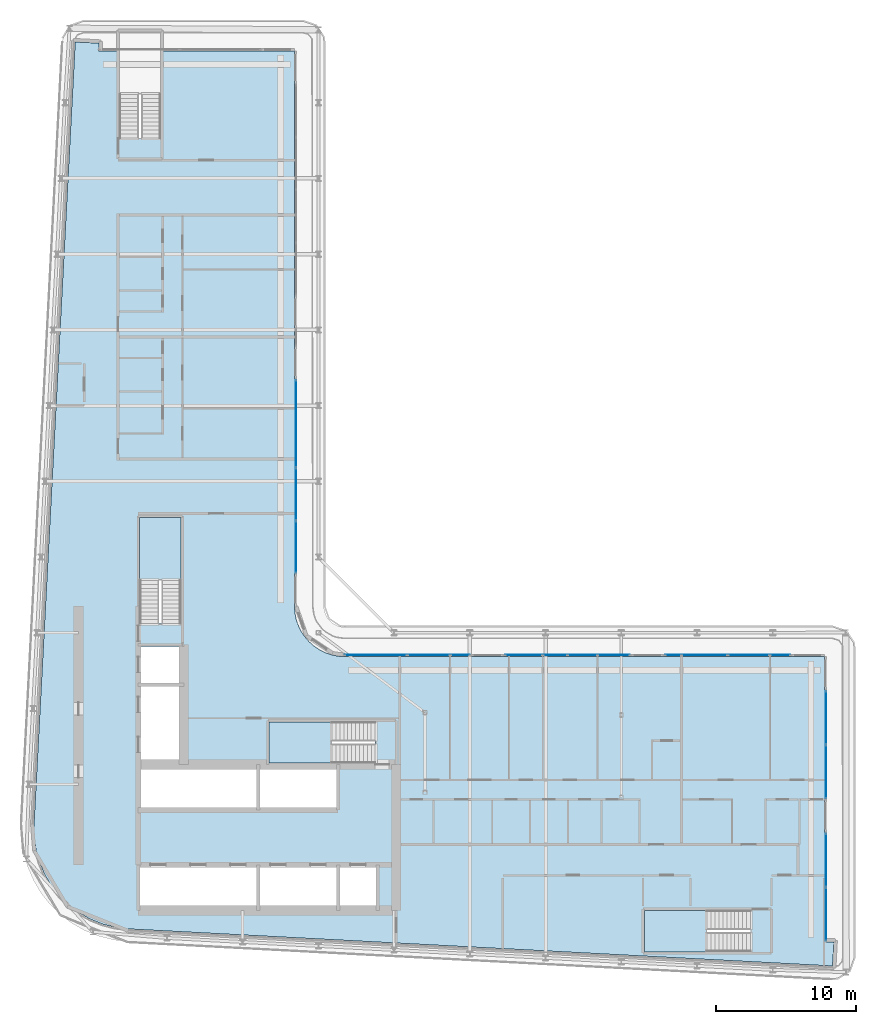
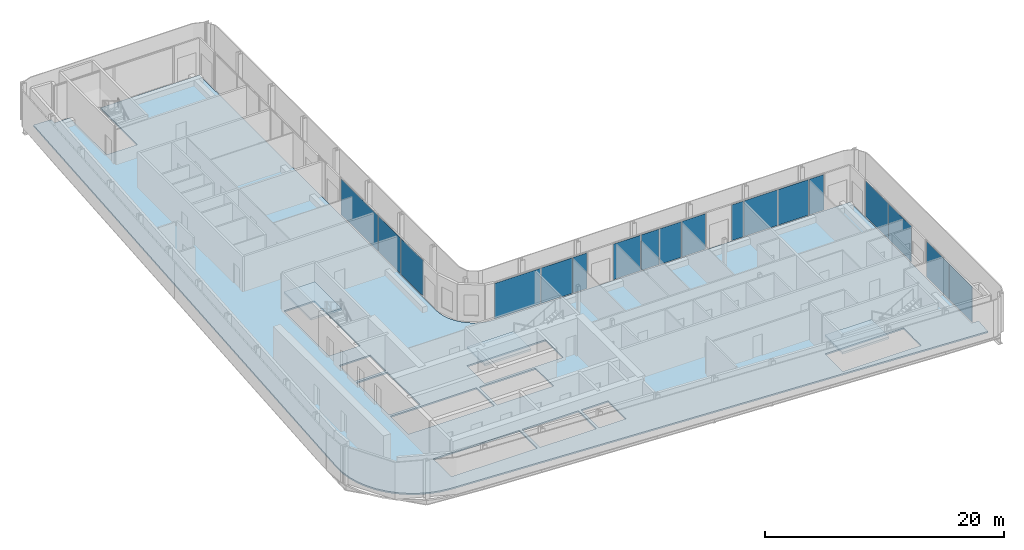
# One storey, part 8 of 21: 18 plates, 4 slabs, 10 elements without a shape of their own.
"""IFC4 building model written with IfcOpenShell, lengths in metres."""

from ifc_helpers import new_model, si_unit, direction, frame, origin, origin_2d, place, context, subcontext, project, spatial, polyline, rectangle, outline, extrude, material, layer, layer_set, type_object, element, aggregate, save


model = new_model("IFC4")

# Units and contexts
model_context = context("Model", 3, precision=1e-05, world=origin(), true_north=direction((0.0, 1.0)))
body_context = subcontext(model_context, "Body", "Model", "MODEL_VIEW")
ifc_project = project(units=[si_unit("LENGTHUNIT", "METRE"), si_unit("AREAUNIT", "SQUARE_METRE"), si_unit("VOLUMEUNIT", "CUBIC_METRE"), si_unit("PLANEANGLEUNIT", "RADIAN"), si_unit("MASSUNIT", "GRAM", prefix="KILO")], contexts=[model_context])

# Site, building, storey
site_placement = place(None, origin())
site = spatial("IfcSite", under=ifc_project, at=site_placement, CompositionType="ELEMENT")
building_placement = place(site_placement, origin())
building = spatial("IfcBuilding", under=site, at=building_placement, Name="Kheshtan School and Residences Tower", CompositionType="ELEMENT")
storey_placement = place(building_placement, frame((0.0, 0.0, 224.0)))
storey = spatial("IfcBuildingStorey", under=building, at=storey_placement, Name="L52", CompositionType="ELEMENT", Elevation=224.0)

# Curtain wall, plate
ifc_material_1 = material(Name="Clear low-e glass in thermally broken aluminium frame", Category="aluminium")
ifc_layer_1 = layer(ifc_material_1, 0.199951171875)
ifc_layer_set_1 = layer_set([ifc_layer_1], Name="Curtain wall CW-L")
curtain_wall_type = type_object("IfcCurtainWallType", Name="Curtain wall CW-L", PredefinedType="NOTDEFINED", material=ifc_layer_set_1)
curtain_wall_1_placement = place(storey_placement, origin())
curtain_wall_1 = element("IfcCurtainWall", 1, at=curtain_wall_1_placement, inside=storey, type_object=curtain_wall_type, Name="Curtain wall CWL4i", PredefinedType="NOTDEFINED")
ifc_layer_2 = layer(ifc_material_1, 0.031982421875)
ifc_layer_set_2 = layer_set([ifc_layer_2], Name="CW-L glass panel")
plate_type = type_object("IfcPlateType", Name="CW-L glass panel", PredefinedType="CURTAIN_PANEL", material=ifc_layer_set_2)
plate_1_placement = place(storey_placement, frame((46.0, 60.50634765625, 0.0), z_axis=(0.0, 0.0, 1.0), x_axis=(0.0, -1.0, 0.0)))
plate_1 = element("IfcPlate", 2, at=plate_1_placement, type_object=plate_type, Name="CWL4i panel 1.1", PredefinedType="CURTAIN_PANEL", context=body_context, shape_type="SweptSolid", body=[
    extrude(rectangle(XDim=6.197509765625, YDim=0.031982421875, at=origin_2d()), origin(), (0.0, 0.0, 1.0), 3.6298828125),
])
aggregate(curtain_wall_1, [plate_1])

# Curtain wall, plates
curtain_wall_2_placement = place(storey_placement, origin())
curtain_wall_2 = element("IfcCurtainWall", 3, at=curtain_wall_2_placement, inside=storey, type_object=curtain_wall_type, Name="Curtain wall CWL4a", PredefinedType="NOTDEFINED")
plate_2_placement = place(storey_placement, frame((46.0, 55.483154296875, 0.0), z_axis=(0.0, 0.0, 1.0), x_axis=(0.0, -1.0, 0.0)))
plate_2 = element("IfcPlate", 4, at=plate_2_placement, type_object=plate_type, Name="CWL4a panel 1.1", PredefinedType="CURTAIN_PANEL", context=body_context, shape_type="SweptSolid", body=[
    extrude(rectangle(XDim=3.728759765625, YDim=0.031982421875, at=origin_2d()), origin(), (0.0, 0.0, 1.0), 3.6298828125),
])
plate_3_placement = place(storey_placement, frame((46.0, 51.724365234375, 0.0), z_axis=(0.0, 0.0, 1.0), x_axis=(0.0, -1.0, 0.0)))
plate_3 = element("IfcPlate", 5, at=plate_3_placement, type_object=plate_type, Name="CWL4a panel 2.1", PredefinedType="CURTAIN_PANEL", context=body_context, shape_type="SweptSolid", body=[
    extrude(rectangle(XDim=3.668701171875, YDim=0.031982421875, at=origin_2d()), origin(), (0.0, 0.0, 1.0), 3.6298828125),
])
aggregate(curtain_wall_2, [plate_2, plate_3])

curtain_wall_3_placement = place(storey_placement, origin())
curtain_wall_3 = element("IfcCurtainWall", 6, at=curtain_wall_3_placement, inside=storey, type_object=curtain_wall_type, Name="Curtain wall CWL8o", PredefinedType="NOTDEFINED")
plate_4_placement = place(storey_placement, frame((51.700927734375, 44.0, 0.0), z_axis=(0.0, 0.0, 1.0), x_axis=(1.0, 0.0, 0.0)))
plate_4 = element("IfcPlate", 7, at=plate_4_placement, type_object=plate_type, Name="CWL8o panel 1.1", PredefinedType="CURTAIN_PANEL", context=body_context, shape_type="SweptSolid", body=[
    extrude(rectangle(XDim=4.421630859375, YDim=0.031982421875, at=origin_2d()), origin(), (0.0, 0.0, 1.0), 3.6298828125),
])
plate_5_placement = place(storey_placement, frame((55.470947265625, 44.0, 0.0), z_axis=(0.0, 0.0, 1.0), x_axis=(1.0, 0.0, 0.0)))
plate_5 = element("IfcPlate", 8, at=plate_5_placement, type_object=plate_type, Name="CWL8o panel 2.1", PredefinedType="CURTAIN_PANEL", context=body_context, shape_type="SweptSolid", body=[
    extrude(rectangle(XDim=2.998291015625, YDim=0.031982421875, at=origin_2d()), origin(), (0.0, 0.0, 1.0), 3.6298828125),
])
plate_6_placement = place(storey_placement, frame((57.711669921875, 44.0, 0.0), z_axis=(0.0, 0.0, 1.0), x_axis=(1.0, 0.0, 0.0)))
plate_6 = element("IfcPlate", 9, at=plate_6_placement, type_object=plate_type, Name="CWL8o panel 3.1", PredefinedType="CURTAIN_PANEL", context=body_context, shape_type="SweptSolid", body=[
    extrude(rectangle(XDim=1.36328125, YDim=0.031982421875, at=origin_2d()), origin(), (0.0, 0.0, 1.0), 3.6298828125),
])
aggregate(curtain_wall_3, [plate_4, plate_5, plate_6])

curtain_wall_4_placement = place(storey_placement, origin())
curtain_wall_4 = element("IfcCurtainWall", 10, at=curtain_wall_4_placement, inside=storey, type_object=curtain_wall_type, Name="Curtain wall CWL8p", PredefinedType="NOTDEFINED")
plate_7_placement = place(storey_placement, frame((62.24169921875, 44.0, 0.0), z_axis=(0.0, 0.0, 1.0), x_axis=(1.0, 0.0, 0.0)))
plate_7 = element("IfcPlate", 11, at=plate_7_placement, type_object=plate_type, Name="CWL8p panel 1.1", PredefinedType="CURTAIN_PANEL", context=body_context, shape_type="SweptSolid", body=[
    extrude(rectangle(XDim=2.65673828125, YDim=0.031982421875, at=origin_2d()), origin(), (0.0, 0.0, 1.0), 3.6298828125),
])
plate_8_placement = place(storey_placement, frame((64.482421875, 44.0, 0.0), z_axis=(0.0, 0.0, 1.0), x_axis=(1.0, 0.0, 0.0)))
plate_8 = element("IfcPlate", 12, at=plate_8_placement, type_object=plate_type, Name="CWL8p panel 2.1", PredefinedType="CURTAIN_PANEL", context=body_context, shape_type="SweptSolid", body=[
    extrude(rectangle(XDim=1.705078125, YDim=0.031982421875, at=origin_2d()), origin(), (0.0, 0.0, 1.0), 3.6298828125),
])
plate_9_placement = place(storey_placement, frame((66.4326171875, 44.0, 0.0), z_axis=(0.0, 0.0, 1.0), x_axis=(1.0, 0.0, 0.0)))
plate_9 = element("IfcPlate", 13, at=plate_9_placement, type_object=plate_type, Name="CWL8p panel 3.1", PredefinedType="CURTAIN_PANEL", context=body_context, shape_type="SweptSolid", body=[
    extrude(rectangle(XDim=2.074951171875, YDim=0.031982421875, at=origin_2d()), origin(), (0.0, 0.0, 1.0), 3.6298828125),
])
plate_10_placement = place(storey_placement, frame((68.67333984375, 44.0, 0.0), z_axis=(0.0, 0.0, 1.0), x_axis=(1.0, 0.0, 0.0)))
plate_10 = element("IfcPlate", 14, at=plate_10_placement, type_object=plate_type, Name="CWL8p panel 4.1", PredefinedType="CURTAIN_PANEL", context=body_context, shape_type="SweptSolid", body=[
    extrude(rectangle(XDim=2.28662109375, YDim=0.031982421875, at=origin_2d()), origin(), (0.0, 0.0, 1.0), 3.6298828125),
])
aggregate(curtain_wall_4, [plate_7, plate_8, plate_9, plate_10])

curtain_wall_5_placement = place(storey_placement, origin())
curtain_wall_5 = element("IfcCurtainWall", 15, at=curtain_wall_5_placement, inside=storey, type_object=curtain_wall_type, Name="Curtain wall CWL8p", PredefinedType="NOTDEFINED")
plate_11_placement = place(storey_placement, frame((72.9033203125, 44.0, 0.0), z_axis=(0.0, 0.0, 1.0), x_axis=(1.0, 0.0, 0.0)))
plate_11 = element("IfcPlate", 16, at=plate_11_placement, type_object=plate_type, Name="CWL8p panel 1.1", PredefinedType="CURTAIN_PANEL", context=body_context, shape_type="SweptSolid", body=[
    extrude(rectangle(XDim=1.13330078125, YDim=0.031982421875, at=origin_2d()), origin(), (0.0, 0.0, 1.0), 3.6298828125),
])
plate_12_placement = place(storey_placement, frame((75.14404296875, 44.0, 0.0), z_axis=(0.0, 0.0, 1.0), x_axis=(1.0, 0.0, 0.0)))
plate_12 = element("IfcPlate", 17, at=plate_12_placement, type_object=plate_type, Name="CWL8p panel 2.1", PredefinedType="CURTAIN_PANEL", context=body_context, shape_type="SweptSolid", body=[
    extrude(rectangle(XDim=3.228271484375, YDim=0.031982421875, at=origin_2d()), origin(), (0.0, 0.0, 1.0), 3.6298828125),
])
plate_13_placement = place(storey_placement, frame((78.294189453125, 44.0, 0.0), z_axis=(0.0, 0.0, 1.0), x_axis=(1.0, 0.0, 0.0)))
plate_13 = element("IfcPlate", 18, at=plate_13_placement, type_object=plate_type, Name="CWL8p panel 3.1", PredefinedType="CURTAIN_PANEL", context=body_context, shape_type="SweptSolid", body=[
    extrude(rectangle(XDim=2.95166015625, YDim=0.031982421875, at=origin_2d()), origin(), (0.0, 0.0, 1.0), 3.6298828125),
])
plate_14_placement = place(storey_placement, frame((80.534912109375, 44.0, 0.0), z_axis=(0.0, 0.0, 1.0), x_axis=(1.0, 0.0, 0.0)))
plate_14 = element("IfcPlate", 19, at=plate_14_placement, type_object=plate_type, Name="CWL8p panel 4.1", PredefinedType="CURTAIN_PANEL", context=body_context, shape_type="SweptSolid", body=[
    extrude(rectangle(XDim=1.409912109375, YDim=0.031982421875, at=origin_2d()), origin(), (0.0, 0.0, 1.0), 3.6298828125),
])
aggregate(curtain_wall_5, [plate_11, plate_12, plate_13, plate_14])

curtain_wall_6_placement = place(storey_placement, origin())
curtain_wall_6 = element("IfcCurtainWall", 20, at=curtain_wall_6_placement, inside=storey, type_object=curtain_wall_type, Name="Curtain wall CWL9a", PredefinedType="NOTDEFINED")
plate_15_placement = place(storey_placement, frame((83.800048828125, 39.54345703125, 0.0), z_axis=(0.0, 0.0, 1.0), x_axis=(0.0, -1.0, 0.0)))
plate_15 = element("IfcPlate", 21, at=plate_15_placement, type_object=plate_type, Name="CWL9a panel 1.1", PredefinedType="CURTAIN_PANEL", context=body_context, shape_type="SweptSolid", body=[
    extrude(rectangle(XDim=3.793212890625, YDim=0.031982421875, at=origin_2d()), origin(), (0.0, 0.0, 1.0), 3.6298828125),
])
plate_16_placement = place(storey_placement, frame((83.800048828125, 35.690185546875, 0.0), z_axis=(0.0, 0.0, 1.0), x_axis=(0.0, -1.0, 0.0)))
plate_16 = element("IfcPlate", 22, at=plate_16_placement, type_object=plate_type, Name="CWL9a panel 2.1", PredefinedType="CURTAIN_PANEL", context=body_context, shape_type="SweptSolid", body=[
    extrude(rectangle(XDim=3.793212890625, YDim=0.031982421875, at=origin_2d()), origin(), (0.0, 0.0, 1.0), 3.6298828125),
])
aggregate(curtain_wall_6, [plate_15, plate_16])

curtain_wall_7_placement = place(storey_placement, origin())
curtain_wall_7 = element("IfcCurtainWall", 23, at=curtain_wall_7_placement, inside=storey, type_object=curtain_wall_type, Name="Curtain wall CWL9a", PredefinedType="NOTDEFINED")
plate_17_placement = place(storey_placement, frame((83.800048828125, 29.376953125, 0.0), z_axis=(0.0, 0.0, 1.0), x_axis=(0.0, -1.0, 0.0)))
plate_17 = element("IfcPlate", 24, at=plate_17_placement, type_object=plate_type, Name="CWL9a panel 1.1", PredefinedType="CURTAIN_PANEL", context=body_context, shape_type="SweptSolid", body=[
    extrude(rectangle(XDim=3.793212890625, YDim=0.031982421875, at=origin_2d()), origin(), (0.0, 0.0, 1.0), 3.6298828125),
])
plate_18_placement = place(storey_placement, frame((83.800048828125, 25.523681640625, 0.0), z_axis=(0.0, 0.0, 1.0), x_axis=(0.0, -1.0, 0.0)))
plate_18 = element("IfcPlate", 25, at=plate_18_placement, type_object=plate_type, Name="CWL9a panel 2.1", PredefinedType="CURTAIN_PANEL", context=body_context, shape_type="SweptSolid", body=[
    extrude(rectangle(XDim=3.793212890625, YDim=0.031982421875, at=origin_2d()), origin(), (0.0, 0.0, 1.0), 3.6298828125),
])
aggregate(curtain_wall_7, [plate_17, plate_18])

# Slab
ifc_material_2 = material(Name="Concrete C40/50", Category="concrete")
ifc_layer_3 = layer(ifc_material_2, 0.14990234375)
ifc_layer_set_3 = layer_set([ifc_layer_3], Name="Floor slab 150 Concrete C40/50")
slab_type_1 = type_object("IfcSlabType", Name="Floor slab 150 Concrete C40/50", PredefinedType="FLOOR", material=ifc_layer_set_3)
slab_1_placement = place(storey_placement, frame((0.0, 0.0, -0.14990234375)))
element("IfcSlab", 26, at=slab_1_placement, inside=storey, type_object=slab_type_1, Name="Floor slab L52", PredefinedType="FLOOR", context=body_context, shape_type="SweptSolid", body=[
    extrude(outline(polyline([(28.0849609375, 28.345947265625), (27.718017578125, 29.200927734375), (27.466064453125, 30.093017578125), (27.466064453125, 30.093994140625), (27.3330078125, 31.013916015625), (27.320068359375, 31.965087890625), (27.320068359375, 31.970947265625), (30.25390625, 87.700927734375), (30.2548828125, 87.7080078125), (30.258056640625, 87.73095703125), (30.258056640625, 87.73193359375), (30.259033203125, 87.73193359375), (30.85400390625, 87.699951171875), (30.85498046875, 87.699951171875), (30.85498046875, 87.698974609375), (30.85498046875, 87.695068359375), (30.85498046875, 87.694091796875), (30.85595703125, 87.694091796875), (30.85595703125, 87.693115234375), (30.85693359375, 87.693115234375), (30.85791015625, 87.693115234375), (30.85791015625, 87.694091796875), (30.860107421875, 87.696044921875), (30.861083984375, 87.697021484375), (30.862060546875, 87.697998046875), (30.863037109375, 87.697998046875), (30.863037109375, 87.698974609375), (30.864013671875, 87.698974609375), (30.864013671875, 87.699951171875), (30.864990234375, 87.699951171875), (30.866943359375, 87.700927734375), (30.867919921875, 87.701904296875), (30.87109375, 87.701904296875), (30.8720703125, 87.701904296875), (30.8720703125, 87.702880859375), (30.873046875, 87.702880859375), (30.8779296875, 87.702880859375), (31.93310546875, 87.64697265625), (31.93603515625, 87.64697265625), (31.93701171875, 87.64697265625), (31.93701171875, 87.64599609375), (31.93798828125, 87.64599609375), (31.94189453125, 87.64599609375), (31.94189453125, 87.64501953125), (31.943115234375, 87.64501953125), (31.943115234375, 87.64404296875), (31.944091796875, 87.64404296875), (31.944091796875, 87.64306640625), (31.945068359375, 87.64306640625), (31.946044921875, 87.64306640625), (31.946044921875, 87.64208984375), (31.947021484375, 87.64208984375), (31.947998046875, 87.64208984375), (31.947998046875, 87.64111328125), (31.949951171875, 87.638916015625), (31.950927734375, 87.638916015625), (31.950927734375, 87.637939453125), (31.950927734375, 87.636962890625), (31.951904296875, 87.636962890625), (31.951904296875, 87.635986328125), (31.952880859375, 87.635986328125), (31.952880859375, 87.634033203125), (31.952880859375, 87.633056640625), (31.9541015625, 87.633056640625), (31.9541015625, 87.632080078125), (31.955078125, 87.632080078125), (31.955078125, 87.631103515625), (31.955078125, 87.62890625), (31.955078125, 87.6279296875), (31.9560546875, 87.6279296875), (31.9560546875, 87.626953125), (31.9560546875, 87.6220703125), (31.928955078125, 87.12109375), (31.928955078125, 87.117919921875), (31.928955078125, 87.116943359375), (31.927978515625, 87.116943359375), (31.927978515625, 87.115966796875), (31.927978515625, 87.112060546875), (31.927001953125, 87.111083984375), (31.927001953125, 87.110107421875), (31.926025390625, 87.110107421875), (31.926025390625, 87.10888671875), (31.925048828125, 87.10888671875), (31.925048828125, 87.10791015625), (31.924072265625, 87.10693359375), (31.922119140625, 87.10498046875), (31.9208984375, 87.10400390625), (31.919921875, 87.10400390625), (31.919921875, 87.10302734375), (31.919921875, 87.10205078125), (31.919921875, 87.10107421875), (31.9208984375, 87.10107421875), (31.9208984375, 87.10009765625), (31.922119140625, 87.10009765625), (33.39990234375, 87.10009765625), (33.39990234375, 80.909912109375), (34.800048828125, 80.909912109375), (34.800048828125, 80.89990234375), (36.35009765625, 80.89990234375), (36.35009765625, 87.10009765625), (45.85498046875, 87.10009765625), (45.864990234375, 87.097900390625), (45.865966796875, 87.097900390625), (45.868896484375, 87.095947265625), (45.8740234375, 87.093994140625), (45.8779296875, 87.092041015625), (45.881103515625, 87.090087890625), (45.881103515625, 87.089111328125), (45.882080078125, 87.089111328125), (45.882080078125, 87.087890625), (45.883056640625, 87.087890625), (45.884033203125, 87.0849609375), (45.885009765625, 87.0849609375), (45.885009765625, 87.083984375), (45.887939453125, 87.0830078125), (45.887939453125, 87.08203125), (45.888916015625, 87.08203125), (45.888916015625, 87.0810546875), (45.889892578125, 87.0810546875), (45.89208984375, 87.077880859375), (45.89404296875, 87.073974609375), (45.89599609375, 87.069091796875), (45.89794921875, 87.06591796875), (45.89794921875, 87.06494140625), (45.89990234375, 87.054931640625), (45.89990234375, 47.429931640625), (45.927001953125, 47.030029296875), (46.01806640625, 46.570068359375), (46.01806640625, 46.569091796875), (46.169921875, 46.1201171875), (46.37890625, 45.697021484375), (46.638916015625, 45.30810546875), (46.949951171875, 44.950927734375), (46.950927734375, 44.949951171875), (47.30810546875, 44.638916015625), (47.697021484375, 44.37890625), (48.1201171875, 44.169921875), (48.569091796875, 44.01806640625), (48.570068359375, 44.01806640625), (49.030029296875, 43.927001953125), (49.429931640625, 43.89990234375), (83.655029296875, 43.89990234375), (83.659912109375, 43.89892578125), (83.6650390625, 43.89794921875), (83.666015625, 43.89794921875), (83.6689453125, 43.89599609375), (83.674072265625, 43.89404296875), (83.677978515625, 43.89208984375), (83.680908203125, 43.889892578125), (83.680908203125, 43.888916015625), (83.681884765625, 43.888916015625), (83.681884765625, 43.887939453125), (83.68310546875, 43.887939453125), (83.68408203125, 43.885009765625), (83.68505859375, 43.885009765625), (83.68505859375, 43.884033203125), (83.68798828125, 43.883056640625), (83.68798828125, 43.882080078125), (83.68896484375, 43.882080078125), (83.68896484375, 43.881103515625), (83.68994140625, 43.881103515625), (83.69189453125, 43.8779296875), (83.694091796875, 43.8740234375), (83.696044921875, 43.868896484375), (83.697998046875, 43.865966796875), (83.697998046875, 43.864990234375), (83.699951171875, 43.85498046875), (83.699951171875, 23.56201171875), (83.699951171875, 23.56103515625), (83.700927734375, 23.56103515625), (83.700927734375, 23.56005859375), (83.701904296875, 23.56005859375), (83.702880859375, 23.56005859375), (83.702880859375, 23.56103515625), (83.705078125, 23.56298828125), (83.7060546875, 23.56396484375), (83.70703125, 23.56494140625), (83.7080078125, 23.56494140625), (83.7080078125, 23.56591796875), (83.708984375, 23.56591796875), (83.708984375, 23.56689453125), (83.7099609375, 23.56689453125), (83.712890625, 23.569091796875), (83.716064453125, 23.569091796875), (83.717041015625, 23.569091796875), (83.717041015625, 23.570068359375), (83.718017578125, 23.570068359375), (83.722900390625, 23.570068359375), (84.337890625, 23.537109375), (84.341064453125, 23.537109375), (84.342041015625, 23.537109375), (84.342041015625, 23.535888671875), (84.343017578125, 23.535888671875), (84.346923828125, 23.535888671875), (84.346923828125, 23.534912109375), (84.347900390625, 23.534912109375), (84.347900390625, 23.533935546875), (84.34912109375, 23.533935546875), (84.34912109375, 23.532958984375), (84.35009765625, 23.532958984375), (84.35107421875, 23.532958984375), (84.35107421875, 23.531982421875), (84.35205078125, 23.531982421875), (84.35302734375, 23.531982421875), (84.35302734375, 23.531005859375), (84.35498046875, 23.529052734375), (84.35595703125, 23.529052734375), (84.35595703125, 23.528076171875), (84.35595703125, 23.527099609375), (84.35693359375, 23.527099609375), (84.35693359375, 23.52587890625), (84.35791015625, 23.52587890625), (84.35791015625, 23.52490234375), (84.35791015625, 23.52392578125), (84.35791015625, 23.52294921875), (84.35888671875, 23.52294921875), (84.35888671875, 23.52197265625), (84.360107421875, 23.52197265625), (84.360107421875, 23.52099609375), (84.360107421875, 23.51904296875), (84.360107421875, 23.51806640625), (84.361083984375, 23.51806640625), (84.361083984375, 23.51708984375), (84.361083984375, 23.511962890625), (84.304931640625, 22.455078125), (84.304931640625, 22.451904296875), (84.304931640625, 22.450927734375), (84.303955078125, 22.450927734375), (84.303955078125, 22.449951171875), (84.303955078125, 22.446044921875), (84.302978515625, 22.445068359375), (84.302978515625, 22.444091796875), (84.302001953125, 22.444091796875), (84.302001953125, 22.443115234375), (84.301025390625, 22.443115234375), (84.301025390625, 22.44189453125), (84.300048828125, 22.44091796875), (84.298095703125, 22.43896484375), (84.297119140625, 22.43798828125), (84.2958984375, 22.43798828125), (84.2958984375, 22.43701171875), (84.2958984375, 22.43603515625), (84.2958984375, 22.43505859375), (84.297119140625, 22.43505859375), (84.297119140625, 22.43408203125), (84.298095703125, 22.43408203125), (84.299072265625, 22.43408203125), (84.300048828125, 22.43408203125), (84.300048828125, 22.43310546875), (84.26806640625, 21.837890625), (84.26806640625, 21.8369140625), (84.26708984375, 21.8369140625), (84.242919921875, 21.8359375), (84.238037109375, 21.8359375), (34.056884765625, 24.47802734375), (33.114990234375, 24.590087890625), (32.215087890625, 24.819091796875), (32.214111328125, 24.819091796875), (31.35205078125, 25.1630859375), (30.541015625, 25.616943359375), (29.799072265625, 26.1708984375), (29.799072265625, 26.172119140625), (29.798095703125, 26.172119140625), (29.134033203125, 26.820068359375), (29.134033203125, 26.821044921875), (29.133056640625, 26.821044921875), (28.55908203125, 27.550048828125), (28.0849609375, 28.345947265625)]), holes=[polyline([(83.699951171875, 22.44091796875), (83.699951171875, 22.43994140625), (83.699951171875, 22.43603515625), (83.699951171875, 22.43505859375), (83.700927734375, 22.43505859375), (83.700927734375, 22.43408203125), (83.701904296875, 22.43408203125), (83.7060546875, 22.43408203125), (83.70703125, 22.43408203125), (83.70703125, 22.43505859375), (83.7080078125, 22.43505859375), (83.7080078125, 22.43603515625), (83.7080078125, 22.43701171875), (83.70703125, 22.43701171875), (83.7060546875, 22.43798828125), (83.7041015625, 22.43994140625), (83.702880859375, 22.44091796875), (83.702880859375, 22.44189453125), (83.701904296875, 22.44189453125), (83.700927734375, 22.44189453125), (83.700927734375, 22.44091796875), (83.699951171875, 22.44091796875)]), polyline([(30.85498046875, 87.10693359375), (30.85498046875, 87.10595703125), (30.85498046875, 87.10205078125), (30.85498046875, 87.10107421875), (30.85595703125, 87.10107421875), (30.85595703125, 87.10009765625), (30.85693359375, 87.10009765625), (30.861083984375, 87.10009765625), (30.862060546875, 87.10009765625), (30.862060546875, 87.10107421875), (30.863037109375, 87.10107421875), (30.863037109375, 87.10205078125), (30.863037109375, 87.10302734375), (30.862060546875, 87.10302734375), (30.861083984375, 87.10400390625), (30.860107421875, 87.10498046875), (30.85888671875, 87.10595703125), (30.85791015625, 87.10693359375), (30.85791015625, 87.10791015625), (30.85693359375, 87.10791015625), (30.85595703125, 87.10791015625), (30.85595703125, 87.10693359375), (30.85498046875, 87.10693359375)]), polyline([(43.175048828125, 28.925048828125), (34.875, 28.925048828125), (34.875, 25.925048828125), (43.175048828125, 25.925048828125), (43.175048828125, 28.925048828125)]), polyline([(43.175048828125, 36.074951171875), (34.875, 36.074951171875), (34.875, 33.074951171875), (43.175048828125, 33.074951171875), (43.175048828125, 36.074951171875)]), polyline([(34.875, 41.77490234375), (34.875, 36.324951171875), (37.875, 36.324951171875), (37.875, 41.77490234375), (34.875, 41.77490234375)]), polyline([(37.875, 44.625), (34.875, 44.625), (34.875, 42.02490234375), (37.875, 42.02490234375), (37.875, 44.625)]), polyline([(36.25, 46.25), (37.800048828125, 46.25), (37.800048828125, 53.81005859375), (34.85009765625, 53.81005859375), (34.85009765625, 46.260009765625), (36.25, 46.260009765625), (36.25, 46.25)]), polyline([(70.85009765625, 25.800048828125), (70.85009765625, 22.85009765625), (78.39990234375, 22.85009765625), (78.39990234375, 24.25), (78.409912109375, 24.25), (78.409912109375, 25.800048828125), (70.85009765625, 25.800048828125)]), polyline([(43.425048828125, 28.925048828125), (43.425048828125, 25.925048828125), (48.875, 25.925048828125), (48.875, 28.925048828125), (43.425048828125, 28.925048828125)]), polyline([(49.125, 28.925048828125), (49.125, 25.925048828125), (51.72509765625, 25.925048828125), (51.72509765625, 28.925048828125), (49.125, 28.925048828125)]), polyline([(43.425048828125, 36.074951171875), (43.425048828125, 33.074951171875), (48.875, 33.074951171875), (48.875, 36.074951171875), (43.425048828125, 36.074951171875)]), polyline([(51.64990234375, 37.699951171875), (51.64990234375, 39.25), (44.090087890625, 39.25), (44.090087890625, 36.300048828125), (51.639892578125, 36.300048828125), (51.639892578125, 37.699951171875), (51.64990234375, 37.699951171875)])]), origin(), (0.0, 0.0, 1.0), 0.14990234375),
])

# Stair, slab
stair_type = type_object("IfcStairType", Name="Exit stair, half-turn", PredefinedType="HALF_TURN_STAIR", material=ifc_material_2)
stair_1_placement = place(storey_placement, origin())
stair_1 = element("IfcStair", 27, at=stair_1_placement, inside=storey, type_object=stair_type, Name="L52 Protected Exit Stair ST1", PredefinedType="HALF_TURN_STAIR")
ifc_layer_4 = layer(ifc_material_2, 0.199951171875)
ifc_layer_set_4 = layer_set([ifc_layer_4], Name="Stair landing 200 Concrete C40/50")
slab_type_2 = type_object("IfcSlabType", Name="Stair landing 200 Concrete C40/50", PredefinedType="LANDING", material=ifc_layer_set_4)
slab_2_placement = place(storey_placement, frame((0.0, 0.0, 1.75)))
slab_2 = element("IfcSlab", 28, at=slab_2_placement, type_object=slab_type_2, Name="ST1 landing 1", PredefinedType="LANDING", context=body_context, shape_type="SweptSolid", body=[
    extrude(outline(polyline([(48.570068359375, 39.25), (44.090087890625, 39.25), (44.090087890625, 36.300048828125), (48.570068359375, 36.300048828125), (48.570068359375, 39.25)])), origin(), (0.0, 0.0, 1.0), 0.199951171875),
])
aggregate(stair_1, [slab_2])

stair_2_placement = place(storey_placement, origin())
stair_2 = element("IfcStair", 29, at=stair_2_placement, inside=storey, type_object=stair_type, Name="L52 Protected Exit Stair ST2", PredefinedType="HALF_TURN_STAIR")
slab_3_placement = place(storey_placement, frame((0.0, 0.0, 1.75)))
slab_3 = element("IfcSlab", 30, at=slab_3_placement, type_object=slab_type_2, Name="ST2 landing 1", PredefinedType="LANDING", context=body_context, shape_type="SweptSolid", body=[
    extrude(outline(polyline([(37.800048828125, 49.330078125), (37.800048828125, 53.81005859375), (34.85009765625, 53.81005859375), (34.85009765625, 49.330078125), (37.800048828125, 49.330078125)])), origin(), (0.0, 0.0, 1.0), 0.199951171875),
])
aggregate(stair_2, [slab_3])

stair_3_placement = place(storey_placement, origin())
stair_3 = element("IfcStair", 31, at=stair_3_placement, inside=storey, type_object=stair_type, Name="L52 Protected Exit Stair ST5", PredefinedType="HALF_TURN_STAIR")
slab_4_placement = place(storey_placement, frame((0.0, 0.0, 1.75)))
slab_4 = element("IfcSlab", 32, at=slab_4_placement, type_object=slab_type_2, Name="ST5 landing 1", PredefinedType="LANDING", context=body_context, shape_type="SweptSolid", body=[
    extrude(outline(polyline([(75.330078125, 25.800048828125), (70.85009765625, 25.800048828125), (70.85009765625, 22.85009765625), (75.330078125, 22.85009765625), (75.330078125, 25.800048828125)])), origin(), (0.0, 0.0, 1.0), 0.199951171875),
])
aggregate(stair_3, [slab_4])

save(model, "model.ifc")
